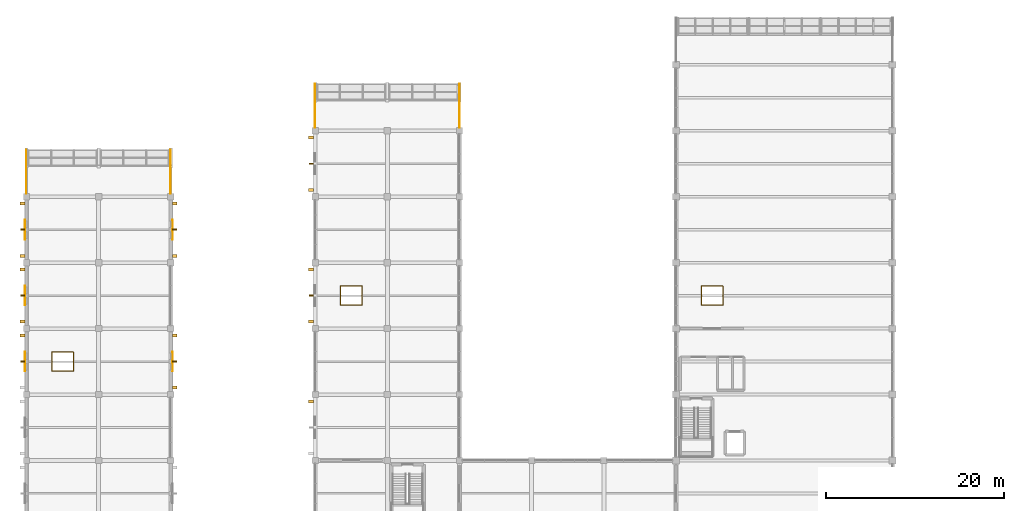
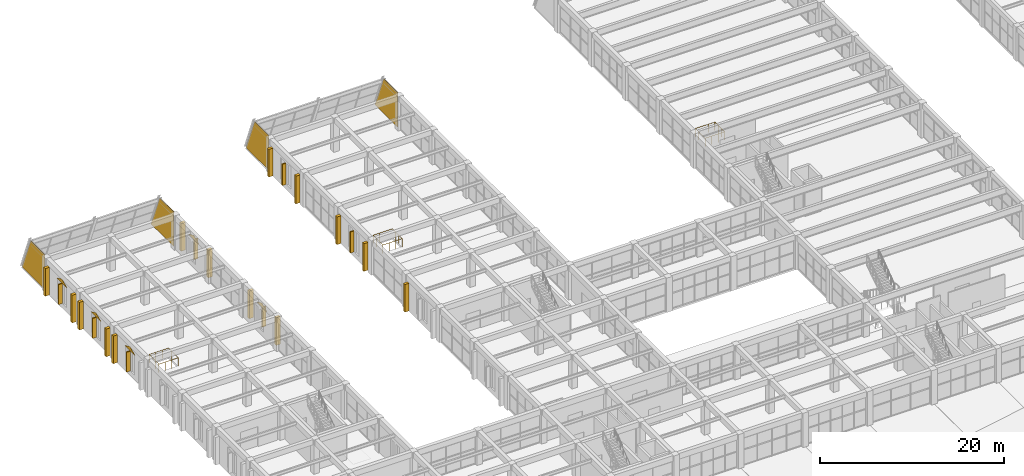
# One storey, part 159 of 161: 21 shading devices, 9 coverings, 3 railings.
"""IFC4 building model written with IfcOpenShell, lengths in metres."""

from ifc_helpers import new_model, si_unit, direction, frame, origin, origin_2d, place, context, subcontext, project, spatial, polyline, rectangle, circle, outline, extrude, material, layer, layer_set, type_object, element, save


model = new_model("IFC4")

# Units and contexts
model_context = context("Model", 3, precision=1e-05, world=origin(), true_north=direction((0.0, 1.0)))
body_context = subcontext(model_context, "Body", "Model", "MODEL_VIEW")
ifc_project = project(units=[si_unit("LENGTHUNIT", "METRE"), si_unit("AREAUNIT", "SQUARE_METRE"), si_unit("VOLUMEUNIT", "CUBIC_METRE"), si_unit("PLANEANGLEUNIT", "RADIAN"), si_unit("MASSUNIT", "GRAM", prefix="KILO")], contexts=[model_context])

# Site, building, storey
site_placement = place(None, origin())
site = spatial("IfcSite", under=ifc_project, at=site_placement, CompositionType="ELEMENT")
building_placement = place(site_placement, origin())
building = spatial("IfcBuilding", under=site, at=building_placement, Name="Cimatlan Art Gallery", CompositionType="ELEMENT")
storey_placement = place(building_placement, frame((0.0, 0.0, 5.39990234375)))
storey = spatial("IfcBuildingStorey", under=building, at=storey_placement, Name="L01", CompositionType="ELEMENT", Elevation=5.39990234375)

# Coverings
ifc_material_1 = material(Name="Queretaro cantera limestone ashlar hood-mould", Category="masonry")
ifc_layer = layer(ifc_material_1, 0.0419921875)
ifc_layer_set = layer_set([ifc_layer], Name="Queretaro cantera limestone ashlar hood-mould")
covering_type = type_object("IfcCoveringType", Name="COV-CLAD-CANTERA-42", PredefinedType="CLADDING", material=ifc_layer_set)
for number, where, z_axis, x_axis, name in (
    (1, (2.0, 90.85009765625, 0.0), (1.0, 0.0, 0.0), (0.0, 1.0, 0.0), "CLD-PRW-L01-B1-W"),
    (2, (18.199951171875, 90.85009765625, 0.0), (1.0, 0.0, 0.0), (0.0, 1.0, 0.0), "CLD-PRW-L01-B1-E"),
    (3, (34.39990234375, 98.25, 0.0), (1.0, 0.0, 0.0), (0.0, 1.0, 0.0), "CLD-PRW-L01-B2-W"),
    (4, (50.60009765625, 98.25, 0.0), (1.0, 0.0, 0.0), (0.0, 1.0, 0.0), "CLD-PRW-L01-B2-E"),
):
    element("IfcCovering", number, at=place(storey_placement, frame(where, z_axis=z_axis, x_axis=x_axis)), inside=storey, type_object=covering_type, Name=name, PredefinedType="CLADDING", context=body_context, shape_type="SweptSolid", body=[
        extrude(outline(polyline([(0.0, 0.0), (4.9228515625, 0.0), (3.031982421875, 4.580078125), (0.0, 4.580078125), (0.0, 0.0)])), origin(), (0.0, 0.0, -1.0), 0.0419921875),
    ])
covering_1_placement = place(storey_placement, frame((1.839599609375, 70.89990234375, 3.330078125), z_axis=(1.0, 0.0, 0.0), x_axis=(0.0, 1.0, 0.0)))
element("IfcCovering", 5, at=covering_1_placement, inside=storey, type_object=covering_type, Name="CLD-025", PredefinedType="CLADDING", context=body_context, shape_type="SweptSolid", body=[
    extrude(outline(polyline([(0.0, 0.0), (2.2001953125, 0.0), (1.10009765625, 0.52001953125), (0.0, 0.0)])), origin(), (0.0, 0.0, -1.0), 0.0419921875),
])
covering_2_placement = place(storey_placement, frame((1.839599609375, 78.300048828125, 3.330078125), z_axis=(1.0, 0.0, 0.0), x_axis=(0.0, 1.0, 0.0)))
element("IfcCovering", 6, at=covering_2_placement, inside=storey, type_object=covering_type, Name="CLD-026", PredefinedType="CLADDING", context=body_context, shape_type="SweptSolid", body=[
    extrude(outline(polyline([(0.0, 0.0), (2.199951171875, 0.0), (1.099853515625, 0.52001953125), (0.0, 0.0)])), origin(), (0.0, 0.0, -1.0), 0.0419921875),
])
covering_3_placement = place(storey_placement, frame((1.839599609375, 85.699951171875, 3.330078125), z_axis=(1.0, 0.0, 0.0), x_axis=(0.0, 1.0, 0.0)))
element("IfcCovering", 7, at=covering_3_placement, inside=storey, type_object=covering_type, Name="CLD-027", PredefinedType="CLADDING", context=body_context, shape_type="SweptSolid", body=[
    extrude(outline(polyline([(0.0, 0.0), (2.199951171875, 0.0), (1.10009765625, 0.52001953125), (0.0, 0.0)])), origin(), (0.0, 0.0, -1.0), 0.0419921875),
])
covering_4_placement = place(storey_placement, frame((18.360595703125, 73.10009765625, 3.330078125), z_axis=(-1.0, 0.0, 0.0), x_axis=(0.0, -1.0, 0.0)))
element("IfcCovering", 8, at=covering_4_placement, inside=storey, type_object=covering_type, Name="CLD-031", PredefinedType="CLADDING", context=body_context, shape_type="SweptSolid", body=[
    extrude(outline(polyline([(0.0, 0.0), (2.2001953125, 0.0), (1.10009765625, 0.52001953125), (0.0, 0.0)])), origin(), (0.0, 0.0, -1.0), 0.0419921875),
])
covering_5_placement = place(storey_placement, frame((18.360595703125, 87.89990234375, 3.330078125), z_axis=(-1.0, 0.0, 0.0), x_axis=(0.0, -1.0, 0.0)))
element("IfcCovering", 9, at=covering_5_placement, inside=storey, type_object=covering_type, Name="CLD-032", PredefinedType="CLADDING", context=body_context, shape_type="SweptSolid", body=[
    extrude(outline(polyline([(0.0, 0.0), (2.199951171875, 0.0), (1.099853515625, 0.52001953125), (0.0, 0.0)])), origin(), (0.0, 0.0, -1.0), 0.0419921875),
])

# Railings
ifc_material_2 = material(Name="Painted steel and bronze interior balustrade", Category="steel")
railing_type = type_object("IfcRailingType", Name="RL-BAL-INT-1120", PredefinedType="BALUSTRADE", material=ifc_material_2)
railing_1_placement = place(storey_placement, frame((4.840087890625, 70.93994140625, 0.0)))
element("IfcRailing", 10, at=railing_1_placement, inside=storey, type_object=railing_type, Name="GR-OCU-L01-B1N", PredefinedType="BALUSTRADE", context=body_context, shape_type="SweptSolid", body=[
    extrude(circle(Radius=0.02392578125, at=origin_2d()), frame((0.0, 0.0, 1.09619140625), z_axis=(1.0, 0.0, 0.0), x_axis=(0.0, 1.0, 0.0)), (0.0, 0.0, 1.0), 2.419921875),
    extrude(circle(Radius=0.02392578125, at=origin_2d()), frame((2.419921875, 0.0, 1.09619140625), z_axis=(0.0, 1.0, 0.0), x_axis=(-1.0, 0.0, 0.0)), (0.0, 0.0, 1.0), 2.1201171875),
    extrude(circle(Radius=0.02392578125, at=origin_2d()), frame((2.419921875, 2.1201171875, 1.09619140625), z_axis=(-1.0, 0.0, 0.0), x_axis=(0.0, -1.0, 0.0)), (0.0, 0.0, 1.0), 2.419921875),
    extrude(circle(Radius=0.02392578125, at=origin_2d()), frame((0.0, 2.1201171875, 1.09619140625), z_axis=(0.0, -1.0, 0.0), x_axis=(1.0, 0.0, 0.0)), (0.0, 0.0, 1.0), 2.080078125),
    extrude(circle(Radius=0.02001953125, at=origin_2d()), origin(), (0.0, 0.0, 1.0), 1.072021484375),
    extrude(circle(Radius=0.02001953125, at=origin_2d()), frame((0.806640625, 0.0, 0.0)), (0.0, 0.0, 1.0), 1.072021484375),
    extrude(circle(Radius=0.02001953125, at=origin_2d()), frame((1.61328125, 0.0, 0.0)), (0.0, 0.0, 1.0), 1.072021484375),
    extrude(circle(Radius=0.02001953125, at=origin_2d()), frame((2.419921875, 0.0, 0.0)), (0.0, 0.0, 1.0), 1.072021484375),
    extrude(circle(Radius=0.02001953125, at=origin_2d()), frame((2.419921875, 0.706787109375, 0.0)), (0.0, 0.0, 1.0), 1.072021484375),
    extrude(circle(Radius=0.02001953125, at=origin_2d()), frame((2.419921875, 1.413330078125, 0.0)), (0.0, 0.0, 1.0), 1.072021484375),
    extrude(circle(Radius=0.02001953125, at=origin_2d()), frame((2.419921875, 2.1201171875, 0.0)), (0.0, 0.0, 1.0), 1.072021484375),
    extrude(circle(Radius=0.02001953125, at=origin_2d()), frame((1.61328125, 2.1201171875, 0.0)), (0.0, 0.0, 1.0), 1.072021484375),
    extrude(circle(Radius=0.02001953125, at=origin_2d()), frame((0.806640625, 2.1201171875, 0.0)), (0.0, 0.0, 1.0), 1.072021484375),
    extrude(circle(Radius=0.02001953125, at=origin_2d()), frame((0.0, 2.1201171875, 0.0)), (0.0, 0.0, 1.0), 1.072021484375),
    extrude(circle(Radius=0.02001953125, at=origin_2d()), frame((0.0, 1.4267578125, 0.0)), (0.0, 0.0, 1.0), 1.072021484375),
    extrude(circle(Radius=0.02001953125, at=origin_2d()), frame((0.0, 0.7333984375, 0.0)), (0.0, 0.0, 1.0), 1.072021484375),
    extrude(circle(Radius=0.02001953125, at=origin_2d()), frame((0.0, 0.0400390625, 0.0)), (0.0, 0.0, 1.0), 1.072021484375),
])
railing_2_placement = place(storey_placement, frame((37.239990234375, 78.340087890625, 0.0)))
element("IfcRailing", 11, at=railing_2_placement, inside=storey, type_object=railing_type, Name="GR-OCU-L01-B2N", PredefinedType="BALUSTRADE", context=body_context, shape_type="SweptSolid", body=[
    extrude(circle(Radius=0.02392578125, at=origin_2d()), frame((0.0, 0.0, 1.09619140625), z_axis=(1.0, 0.0, 0.0), x_axis=(0.0, 1.0, 0.0)), (0.0, 0.0, 1.0), 2.419921875),
    extrude(circle(Radius=0.02392578125, at=origin_2d()), frame((2.419921875, 0.0, 1.09619140625), z_axis=(0.0, 1.0, 0.0), x_axis=(-1.0, 0.0, 0.0)), (0.0, 0.0, 1.0), 2.119873046875),
    extrude(circle(Radius=0.02392578125, at=origin_2d()), frame((2.419921875, 2.119873046875, 1.09619140625), z_axis=(-1.0, 0.0, 0.0), x_axis=(0.0, -1.0, 0.0)), (0.0, 0.0, 1.0), 2.419921875),
    extrude(circle(Radius=0.02392578125, at=origin_2d()), frame((0.0, 2.119873046875, 1.09619140625), z_axis=(0.0, -1.0, 0.0), x_axis=(1.0, 0.0, 0.0)), (0.0, 0.0, 1.0), 2.080078125),
    extrude(circle(Radius=0.02001953125, at=origin_2d()), origin(), (0.0, 0.0, 1.0), 1.072021484375),
    extrude(circle(Radius=0.02001953125, at=origin_2d()), frame((0.806640625, 0.0, 0.0)), (0.0, 0.0, 1.0), 1.072021484375),
    extrude(circle(Radius=0.02001953125, at=origin_2d()), frame((1.61328125, 0.0, 0.0)), (0.0, 0.0, 1.0), 1.072021484375),
    extrude(circle(Radius=0.02001953125, at=origin_2d()), frame((2.419921875, 0.0, 0.0)), (0.0, 0.0, 1.0), 1.072021484375),
    extrude(circle(Radius=0.02001953125, at=origin_2d()), frame((2.419921875, 0.70654296875, 0.0)), (0.0, 0.0, 1.0), 1.072021484375),
    extrude(circle(Radius=0.02001953125, at=origin_2d()), frame((2.419921875, 1.413330078125, 0.0)), (0.0, 0.0, 1.0), 1.072021484375),
    extrude(circle(Radius=0.02001953125, at=origin_2d()), frame((2.419921875, 2.119873046875, 0.0)), (0.0, 0.0, 1.0), 1.072021484375),
    extrude(circle(Radius=0.02001953125, at=origin_2d()), frame((1.61328125, 2.119873046875, 0.0)), (0.0, 0.0, 1.0), 1.072021484375),
    extrude(circle(Radius=0.02001953125, at=origin_2d()), frame((0.806640625, 2.119873046875, 0.0)), (0.0, 0.0, 1.0), 1.072021484375),
    extrude(circle(Radius=0.02001953125, at=origin_2d()), frame((0.0, 2.119873046875, 0.0)), (0.0, 0.0, 1.0), 1.072021484375),
    extrude(circle(Radius=0.02001953125, at=origin_2d()), frame((0.0, 1.426513671875, 0.0)), (0.0, 0.0, 1.0), 1.072021484375),
    extrude(circle(Radius=0.02001953125, at=origin_2d()), frame((0.0, 0.733154296875, 0.0)), (0.0, 0.0, 1.0), 1.072021484375),
    extrude(circle(Radius=0.02001953125, at=origin_2d()), frame((0.0, 0.039794921875, 0.0)), (0.0, 0.0, 1.0), 1.072021484375),
])
railing_3_placement = place(storey_placement, frame((77.739990234375, 78.340087890625, 0.0)))
element("IfcRailing", 12, at=railing_3_placement, inside=storey, type_object=railing_type, Name="GR-OCU-L01-B3N", PredefinedType="BALUSTRADE", context=body_context, shape_type="SweptSolid", body=[
    extrude(circle(Radius=0.02392578125, at=origin_2d()), frame((0.0, 0.0, 1.09619140625), z_axis=(1.0, 0.0, 0.0), x_axis=(0.0, 1.0, 0.0)), (0.0, 0.0, 1.0), 2.419921875),
    extrude(circle(Radius=0.02392578125, at=origin_2d()), frame((2.419921875, 0.0, 1.09619140625), z_axis=(0.0, 1.0, 0.0), x_axis=(-1.0, 0.0, 0.0)), (0.0, 0.0, 1.0), 2.119873046875),
    extrude(circle(Radius=0.02392578125, at=origin_2d()), frame((2.419921875, 2.119873046875, 1.09619140625), z_axis=(-1.0, 0.0, 0.0), x_axis=(0.0, -1.0, 0.0)), (0.0, 0.0, 1.0), 2.419921875),
    extrude(circle(Radius=0.02392578125, at=origin_2d()), frame((0.0, 2.119873046875, 1.09619140625), z_axis=(0.0, -1.0, 0.0), x_axis=(1.0, 0.0, 0.0)), (0.0, 0.0, 1.0), 2.080078125),
    extrude(circle(Radius=0.02001953125, at=origin_2d()), origin(), (0.0, 0.0, 1.0), 1.072021484375),
    extrude(circle(Radius=0.02001953125, at=origin_2d()), frame((0.806640625, 0.0, 0.0)), (0.0, 0.0, 1.0), 1.072021484375),
    extrude(circle(Radius=0.02001953125, at=origin_2d()), frame((1.61328125, 0.0, 0.0)), (0.0, 0.0, 1.0), 1.072021484375),
    extrude(circle(Radius=0.02001953125, at=origin_2d()), frame((2.419921875, 0.0, 0.0)), (0.0, 0.0, 1.0), 1.072021484375),
    extrude(circle(Radius=0.02001953125, at=origin_2d()), frame((2.419921875, 0.70654296875, 0.0)), (0.0, 0.0, 1.0), 1.072021484375),
    extrude(circle(Radius=0.02001953125, at=origin_2d()), frame((2.419921875, 1.413330078125, 0.0)), (0.0, 0.0, 1.0), 1.072021484375),
    extrude(circle(Radius=0.02001953125, at=origin_2d()), frame((2.419921875, 2.119873046875, 0.0)), (0.0, 0.0, 1.0), 1.072021484375),
    extrude(circle(Radius=0.02001953125, at=origin_2d()), frame((1.61328125, 2.119873046875, 0.0)), (0.0, 0.0, 1.0), 1.072021484375),
    extrude(circle(Radius=0.02001953125, at=origin_2d()), frame((0.806640625, 2.119873046875, 0.0)), (0.0, 0.0, 1.0), 1.072021484375),
    extrude(circle(Radius=0.02001953125, at=origin_2d()), frame((0.0, 2.119873046875, 0.0)), (0.0, 0.0, 1.0), 1.072021484375),
    extrude(circle(Radius=0.02001953125, at=origin_2d()), frame((0.0, 1.426513671875, 0.0)), (0.0, 0.0, 1.0), 1.072021484375),
    extrude(circle(Radius=0.02001953125, at=origin_2d()), frame((0.0, 0.733154296875, 0.0)), (0.0, 0.0, 1.0), 1.072021484375),
    extrude(circle(Radius=0.02001953125, at=origin_2d()), frame((0.0, 0.039794921875, 0.0)), (0.0, 0.0, 1.0), 1.072021484375),
])

# Shading devices
ifc_material_3 = material(Name="Queretaro cantera limestone buttress pilaster", Category="masonry")
shading_device_type_1 = type_object("IfcShadingDeviceType", Name="SHD-BUT-520", PredefinedType="USERDEFINED", material=ifc_material_3)
for number, where, z_axis, x_axis, name in (
    (13, (1.5595703125, 74.926025390625, 0.06005859375), (0.0, 0.0, 1.0), (0.0, 1.0, 0.0), "BUT-0142"),
    (14, (1.5595703125, 76.47412109375, 0.06005859375), (0.0, 0.0, 1.0), (0.0, 1.0, 0.0), "BUT-0143"),
    (15, (1.5595703125, 82.325927734375, 0.06005859375), (0.0, 0.0, 1.0), (0.0, 1.0, 0.0), "BUT-0144"),
    (16, (1.5595703125, 83.8740234375, 0.06005859375), (0.0, 0.0, 1.0), (0.0, 1.0, 0.0), "BUT-0145"),
    (17, (1.5595703125, 89.72607421875, 0.06005859375), (0.0, 0.0, 1.0), (0.0, 1.0, 0.0), "BUT-0146"),
    (18, (18.640380859375, 74.926025390625, 0.06005859375), (0.0, 0.0, 1.0), (0.0, -1.0, 0.0), "BUT-0153"),
    (19, (18.640380859375, 69.073974609375, 0.06005859375), (0.0, 0.0, 1.0), (0.0, -1.0, 0.0), "BUT-0154"),
    (20, (18.640380859375, 89.72607421875, 0.06005859375), (0.0, 0.0, 1.0), (0.0, -1.0, 0.0), "BUT-0155"),
    (21, (18.640380859375, 83.8740234375, 0.06005859375), (0.0, 0.0, 1.0), (0.0, -1.0, 0.0), "BUT-0156"),
    (22, (33.931884765625, 67.52587890625, 0.06005859375), (0.0, 0.0, 1.0), (0.0, 1.0, 0.0), "BUT-0168"),
    (23, (33.931884765625, 76.47412109375, 0.06005859375), (0.0, 0.0, 1.0), (0.0, 1.0, 0.0), "BUT-0169"),
    (24, (33.931884765625, 82.325927734375, 0.06005859375), (0.0, 0.0, 1.0), (0.0, 1.0, 0.0), "BUT-0170"),
    (25, (33.931884765625, 91.27392578125, 0.06005859375), (0.0, 0.0, 1.0), (0.0, 1.0, 0.0), "BUT-0171"),
    (26, (33.931884765625, 97.1259765625, 0.06005859375), (0.0, 0.0, 1.0), (0.0, 1.0, 0.0), "BUT-0172"),
):
    element("IfcShadingDevice", number, at=place(storey_placement, frame(where, z_axis=z_axis, x_axis=x_axis)), inside=storey, type_object=shading_device_type_1, Name=name, ObjectType="FIN", PredefinedType="USERDEFINED", context=body_context, shape_type="SweptSolid", body=[
        extrude(rectangle(XDim=0.340087890625, YDim=0.52001953125, at=origin_2d()), origin(), (0.0, 0.0, 1.0), 3.675048828125),
    ])
ifc_material_4 = material(Name="Queretaro cantera limestone lancet mullion fin", Category="masonry")
shading_device_type_2 = type_object("IfcShadingDeviceType", Name="SHD-FIN-480", PredefinedType="USERDEFINED", material=ifc_material_4)
for number, where, z_axis, x_axis, name in (
    (27, (1.57958984375, 72.0, 0.650146484375), (0.0, 0.0, 1.0), (0.0, 1.0, 0.0), "FIN-034"),
    (28, (1.57958984375, 79.39990234375, 0.650146484375), (0.0, 0.0, 1.0), (0.0, 1.0, 0.0), "FIN-035"),
    (29, (1.57958984375, 86.800048828125, 0.650146484375), (0.0, 0.0, 1.0), (0.0, 1.0, 0.0), "FIN-036"),
    (30, (18.62060546875, 72.0, 0.650146484375), (0.0, 0.0, 1.0), (0.0, -1.0, 0.0), "FIN-040"),
    (31, (18.62060546875, 86.800048828125, 0.650146484375), (0.0, 0.0, 1.0), (0.0, -1.0, 0.0), "FIN-041"),
):
    element("IfcShadingDevice", number, at=place(storey_placement, frame(where, z_axis=z_axis, x_axis=x_axis)), inside=storey, type_object=shading_device_type_2, Name=name, ObjectType="FIN", PredefinedType="USERDEFINED", context=body_context, shape_type="SweptSolid", body=[
        extrude(rectangle(XDim=0.159912109375, YDim=0.47998046875, at=origin_2d()), origin(), (0.0, 0.0, 1.0), 2.64990234375),
    ])
for number, where, z_axis, x_axis, name in (
    (32, (33.951904296875, 79.39990234375, 0.64990234375), (0.0, 0.0, 1.0), (0.0, 1.0, 0.0), "FIN-048"),
    (33, (33.951904296875, 94.199951171875, 0.64990234375), (0.0, 0.0, 1.0), (0.0, 1.0, 0.0), "FIN-049"),
):
    element("IfcShadingDevice", number, at=place(storey_placement, frame(where, z_axis=z_axis, x_axis=x_axis)), inside=storey, type_object=shading_device_type_2, Name=name, ObjectType="FIN", PredefinedType="USERDEFINED", context=body_context, shape_type="SweptSolid", body=[
        extrude(rectangle(XDim=0.159912109375, YDim=0.47998046875, at=origin_2d()), origin(), (0.0, 0.0, 1.0), 2.800048828125),
    ])

save(model, "model.ifc")
